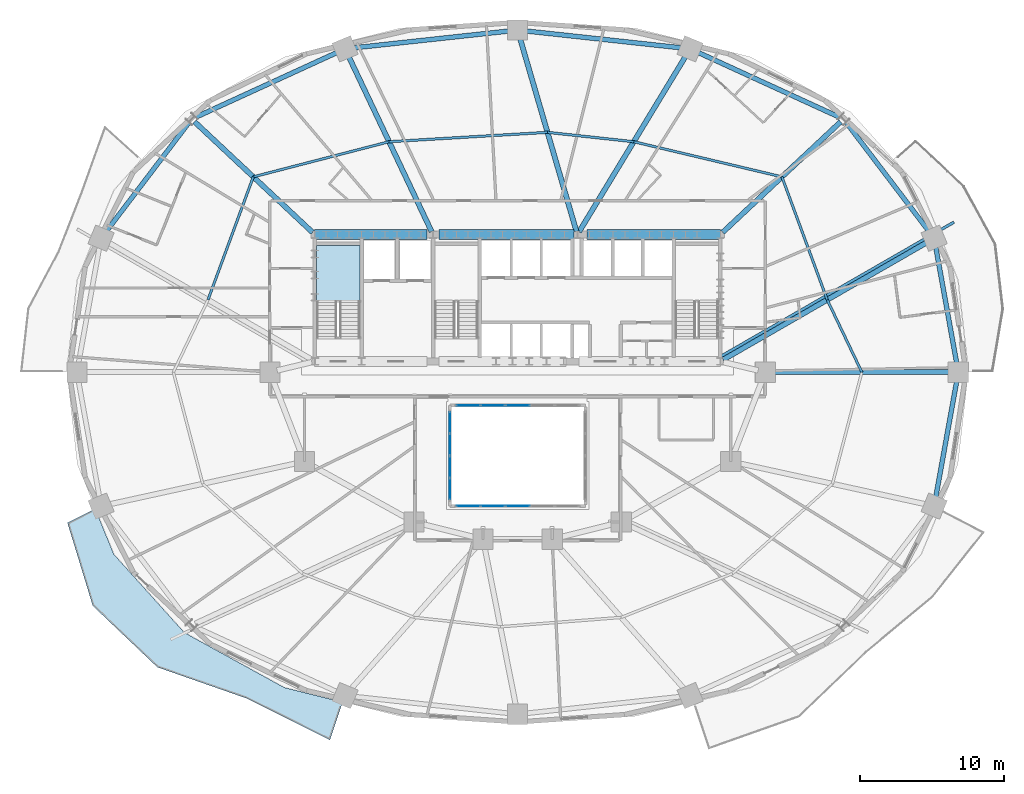
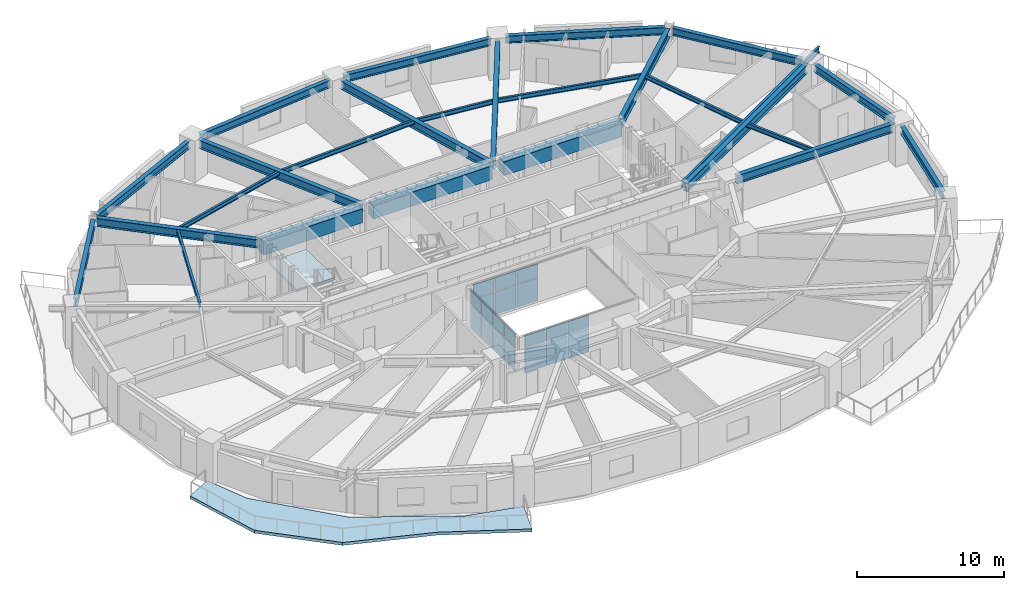
# One storey, part 7 of 17: 26 beams, 20 plates, 2 slabs, 4 elements without a shape of their own.
"""IFC4 building model written with IfcOpenShell, lengths in metres."""

from ifc_helpers import new_model, si_unit, direction, frame, origin, origin_2d, place, context, subcontext, project, spatial, polyline, rectangle, i_section, outline, extrude, material, layer, layer_set, material_profile, profile_set, type_object, element, aggregate, save


model = new_model("IFC4")

# Units and contexts
model_context = context("Model", 3, precision=1e-05, world=origin(), true_north=direction((0.0, 1.0)))
body_context = subcontext(model_context, "Body", "Model", "MODEL_VIEW")
ifc_project = project(units=[si_unit("LENGTHUNIT", "METRE"), si_unit("AREAUNIT", "SQUARE_METRE"), si_unit("VOLUMEUNIT", "CUBIC_METRE"), si_unit("PLANEANGLEUNIT", "RADIAN"), si_unit("MASSUNIT", "GRAM", prefix="KILO")], contexts=[model_context])

# Site, building, storey
site_placement = place(None, origin())
site = spatial("IfcSite", under=ifc_project, at=site_placement, CompositionType="ELEMENT")
building_placement = place(site_placement, origin())
building = spatial("IfcBuilding", under=site, at=building_placement, Name="Haldorwick Loom Tower", CompositionType="ELEMENT")
storey_placement = place(building_placement, frame((0.0, 0.0, 37.800048828125)))
storey = spatial("IfcBuildingStorey", under=building, at=storey_placement, Name="L09", CompositionType="ELEMENT", Elevation=37.800048828125)

# Beams
ifc_material_1 = material(Name="Steel CSA G40.21 350W", Category="steel")
ifc_material_profile_1 = material_profile(ifc_material_1, i_section(OverallWidth=0.193115234375, OverallDepth=0.466064453125, WebThickness=0.011474609375, FlangeThickness=0.01904296875, at=origin_2d()), Name="W460X97", Category="steel")
ifc_profile_set_1 = profile_set([ifc_material_profile_1], Name="Steel CSA G40.21 350W")
beam_type_1 = type_object("IfcBeamType", Name="STR-BM-BAL460", PredefinedType="BEAM", material=ifc_profile_set_1)
beam_1_placement = place(storey_placement, frame((50.125244140625, 27.10498046875, 2.97705078125), z_axis=(0.866607024941, 0.49899124674, 0.0), x_axis=(-0.49899124674, 0.866607024941, 0.0)))
element("IfcBeam", 1, at=beam_1_placement, inside=storey, type_object=beam_type_1, Name="L09 Continuous Back-Spanned Balcony Beam 4", PredefinedType="BEAM", context=body_context, shape_type="SweptSolid", body=[
    extrude(i_section(OverallWidth=0.193115234375, OverallDepth=0.466064453125, WebThickness=0.011474609375, FlangeThickness=0.01904296875, at=origin_2d()), origin(), (0.0, 0.0, 1.0), 18.65771484375),
])
ifc_material_2 = material(Name="Concrete C60 (60 MPa)", Category="concrete")
ifc_material_profile_2 = material_profile(ifc_material_2, rectangle(XDim=0.699951171875, YDim=1.14990234375, at=origin_2d()), Name="RC700X1150", Category="concrete")
ifc_profile_set_2 = profile_set([ifc_material_profile_2], Name="Concrete C60 (60 MPa)")
beam_type_2 = type_object("IfcBeamType", Name="STR-BM-CB1150", PredefinedType="LINTEL", material=ifc_profile_set_2)
beam_2_placement = place(storey_placement, frame((21.89990234375, 35.550048828125, 2.635009765625), z_axis=(1.0, 0.0, 0.0), x_axis=(0.0, 1.0, 0.0)))
element("IfcBeam", 2, at=beam_2_placement, inside=storey, type_object=beam_type_2, Name="L09 Core Coupling Beam CB-N1", PredefinedType="LINTEL", context=body_context, shape_type="SweptSolid", body=[
    extrude(rectangle(XDim=0.699951171875, YDim=1.14990234375, at=origin_2d()), origin(), (0.0, 0.0, 1.0), 7.800048828125),
])
beam_3_placement = place(storey_placement, frame((30.550048828125, 35.550048828125, 2.635009765625), z_axis=(1.0, 0.0, 0.0), x_axis=(0.0, 1.0, 0.0)))
element("IfcBeam", 3, at=beam_3_placement, inside=storey, type_object=beam_type_2, Name="L09 Core Coupling Beam CB-N2", PredefinedType="LINTEL", context=body_context, shape_type="SweptSolid", body=[
    extrude(rectangle(XDim=0.699951171875, YDim=1.14990234375, at=origin_2d()), origin(), (0.0, 0.0, 1.0), 9.349853515625),
])
beam_4_placement = place(storey_placement, frame((40.800048828125, 35.550048828125, 2.635009765625), z_axis=(1.0, 0.0, 0.0), x_axis=(0.0, 1.0, 0.0)))
element("IfcBeam", 4, at=beam_4_placement, inside=storey, type_object=beam_type_2, Name="L09 Core Coupling Beam CB-N3", PredefinedType="LINTEL", context=body_context, shape_type="SweptSolid", body=[
    extrude(rectangle(XDim=0.699951171875, YDim=1.14990234375, at=origin_2d()), origin(), (0.0, 0.0, 1.0), 9.300048828125),
])
ifc_material_profile_3 = material_profile(ifc_material_1, i_section(OverallWidth=0.172119140625, OverallDepth=0.35791015625, WebThickness=0.0078125, FlangeThickness=0.01318359375, at=origin_2d()), Name="W360X57", Category="steel")
ifc_profile_set_3 = profile_set([ifc_material_profile_3], Name="Steel CSA G40.21 350W")
beam_type_3 = type_object("IfcBeamType", Name="STR-BM-J360", PredefinedType="JOIST", material=ifc_profile_set_3)
beam_5_placement = place(storey_placement, frame((59.89794921875, 26.0, 3.031005859375), z_axis=(-0.431630738849, 0.902050389546, 0.0), x_axis=(-0.902050389546, -0.431630738849, 0.0)))
element("IfcBeam", 5, at=beam_5_placement, inside=storey, type_object=beam_type_3, Name="L09 Mid-Bay Secondary Joist 1", PredefinedType="JOIST", context=body_context, shape_type="SweptSolid", body=[
    extrude(i_section(OverallWidth=0.172119140625, OverallDepth=0.35791015625, WebThickness=0.0078125, FlangeThickness=0.01318359375, at=origin_2d()), origin(), (0.0, 0.0, 1.0), 5.5703125),
])
beam_6_placement = place(storey_placement, frame((57.49365234375, 31.024658203125, 3.031005859375), z_axis=(-0.345576005762, 0.938390763084, 0.0), x_axis=(-0.938390763084, -0.345576005762, 0.0)))
element("IfcBeam", 6, at=beam_6_placement, inside=storey, type_object=beam_type_3, Name="L09 Mid-Bay Secondary Joist 2", PredefinedType="JOIST", context=body_context, shape_type="SweptSolid", body=[
    extrude(i_section(OverallWidth=0.172119140625, OverallDepth=0.35791015625, WebThickness=0.0078125, FlangeThickness=0.01318359375, at=origin_2d()), origin(), (0.0, 0.0, 1.0), 9.0966796875),
])
beam_7_placement = place(storey_placement, frame((54.35009765625, 39.560791015625, 3.031005859375), z_axis=(-0.973016191143, 0.230736845289, 0.0), x_axis=(-0.230736845289, -0.973016191143, 0.0)))
element("IfcBeam", 7, at=beam_7_placement, inside=storey, type_object=beam_type_3, Name="L09 Mid-Bay Secondary Joist 3", PredefinedType="JOIST", context=body_context, shape_type="SweptSolid", body=[
    extrude(i_section(OverallWidth=0.172119140625, OverallDepth=0.35791015625, WebThickness=0.0078125, FlangeThickness=0.01318359375, at=origin_2d()), origin(), (0.0, 0.0, 1.0), 10.5712890625),
])
beam_8_placement = place(storey_placement, frame((44.06396484375, 42.0, 3.031005859375), z_axis=(-0.994163660215, 0.107882420753, 0.0), x_axis=(-0.107882420753, -0.994163660215, 0.0)))
element("IfcBeam", 8, at=beam_8_placement, inside=storey, type_object=beam_type_3, Name="L09 Mid-Bay Secondary Joist 4", PredefinedType="JOIST", context=body_context, shape_type="SweptSolid", body=[
    extrude(i_section(OverallWidth=0.172119140625, OverallDepth=0.35791015625, WebThickness=0.0078125, FlangeThickness=0.01318359375, at=origin_2d()), origin(), (0.0, 0.0, 1.0), 6.024169921875),
])
beam_9_placement = place(storey_placement, frame((38.074951171875, 42.64990234375, 3.031005859375), z_axis=(-0.998258904552, -0.058984400336, 0.0), x_axis=(0.058984400336, -0.998258904552, 0.0)))
element("IfcBeam", 9, at=beam_9_placement, inside=storey, type_object=beam_type_3, Name="L09 Mid-Bay Secondary Joist 5", PredefinedType="JOIST", context=body_context, shape_type="SweptSolid", body=[
    extrude(i_section(OverallWidth=0.172119140625, OverallDepth=0.35791015625, WebThickness=0.0078125, FlangeThickness=0.01318359375, at=origin_2d()), origin(), (0.0, 0.0, 1.0), 11.018310546875),
])
beam_10_placement = place(storey_placement, frame((27.075927734375, 42.0, 3.031005859375), z_axis=(-0.968110955806, -0.250521809927, 0.0), x_axis=(0.250521809927, -0.968110955806, 0.0)))
element("IfcBeam", 10, at=beam_10_placement, inside=storey, type_object=beam_type_3, Name="L09 Mid-Bay Secondary Joist 6", PredefinedType="JOIST", context=body_context, shape_type="SweptSolid", body=[
    extrude(i_section(OverallWidth=0.172119140625, OverallDepth=0.35791015625, WebThickness=0.0078125, FlangeThickness=0.01318359375, at=origin_2d()), origin(), (0.0, 0.0, 1.0), 9.736572265625),
])
beam_11_placement = place(storey_placement, frame((17.64990234375, 39.560791015625, 3.031005859375), z_axis=(-0.345576005762, -0.938390763084, 0.0), x_axis=(0.938390763084, -0.345576005762, 0.0)))
element("IfcBeam", 11, at=beam_11_placement, inside=storey, type_object=beam_type_3, Name="L09 Mid-Bay Secondary Joist 7", PredefinedType="JOIST", context=body_context, shape_type="SweptSolid", body=[
    extrude(i_section(OverallWidth=0.172119140625, OverallDepth=0.35791015625, WebThickness=0.0078125, FlangeThickness=0.01318359375, at=origin_2d()), origin(), (0.0, 0.0, 1.0), 9.0966796875),
])
ifc_material_profile_4 = material_profile(ifc_material_1, i_section(OverallWidth=0.324951171875, OverallDepth=0.615966796875, WebThickness=0.013916015625, FlangeThickness=0.021484375, at=origin_2d()), Name="W610X174", Category="steel")
ifc_profile_set_4 = profile_set([ifc_material_profile_4], Name="Steel CSA G40.21 350W")
beam_type_4 = type_object("IfcBeamType", Name="STR-BM-SP610", PredefinedType="SPANDREL", material=ifc_profile_set_4)
beam_12_placement = place(storey_placement, frame((66.503662109375, 26.51171875, 2.90185546875), z_axis=(-0.177641139482, 0.984095333575, 0.0), x_axis=(-0.984095333575, -0.177641139482, 0.0)))
element("IfcBeam", 12, at=beam_12_placement, inside=storey, type_object=beam_type_4, Name="L09 Perimeter Spandrel 1", PredefinedType="SPANDREL", context=body_context, shape_type="SweptSolid", body=[
    extrude(i_section(OverallWidth=0.324951171875, OverallDepth=0.615966796875, WebThickness=0.013916015625, FlangeThickness=0.021484375, at=origin_2d()), origin(), (0.0, 0.0, 1.0), 8.40966796875),
])
beam_13_placement = place(storey_placement, frame((64.602783203125, 35.713134765625, 2.90185546875), z_axis=(-0.605084557744, 0.796161213562, 0.0), x_axis=(-0.796161213562, -0.605084557744, 0.0)))
element("IfcBeam", 13, at=beam_13_placement, inside=storey, type_object=beam_type_4, Name="L09 Perimeter Spandrel 2", PredefinedType="SPANDREL", context=body_context, shape_type="SweptSolid", body=[
    extrude(i_section(OverallWidth=0.324951171875, OverallDepth=0.615966796875, WebThickness=0.013916015625, FlangeThickness=0.021484375, at=origin_2d()), origin(), (0.0, 0.0, 1.0), 9.595703125),
])
beam_14_placement = place(storey_placement, frame((58.380126953125, 43.68603515625, 2.90185546875), z_axis=(-0.909173805321, 0.416416848504, 0.0), x_axis=(-0.416416848504, -0.909173805321, 0.0)))
element("IfcBeam", 14, at=beam_14_placement, inside=storey, type_object=beam_type_4, Name="L09 Perimeter Spandrel 3", PredefinedType="SPANDREL", context=body_context, shape_type="SweptSolid", body=[
    extrude(i_section(OverallWidth=0.324951171875, OverallDepth=0.615966796875, WebThickness=0.013916015625, FlangeThickness=0.021484375, at=origin_2d()), origin(), (0.0, 0.0, 1.0), 10.92138671875),
])
for number, where, z_axis, x_axis, name in (
    (15, (47.4609375, 48.50634765625, 2.90185546875), (-0.994164438636, 0.107875247167, 0.0), (-0.107875247167, -0.994164438636, 0.0), "L09 Perimeter Spandrel 4"),
    (16, (35.48291015625, 49.69384765625, 2.90185546875), (-0.994164438636, -0.107875247167, 0.0), (0.107875247167, -0.994164438636, 0.0), "L09 Perimeter Spandrel 5"),
):
    element("IfcBeam", number, at=place(storey_placement, frame(where, z_axis=z_axis, x_axis=x_axis)), inside=storey, type_object=beam_type_4, Name=name, PredefinedType="SPANDREL", context=body_context, shape_type="SweptSolid", body=[
        extrude(i_section(OverallWidth=0.324951171875, OverallDepth=0.615966796875, WebThickness=0.013916015625, FlangeThickness=0.021484375, at=origin_2d()), origin(), (0.0, 0.0, 1.0), 11.008056640625),
    ])
beam_15_placement = place(storey_placement, frame((23.54931640625, 48.23388671875, 2.90185546875), z_axis=(-0.909173805321, -0.416416848504, 0.0), x_axis=(0.416416848504, -0.909173805321, 0.0)))
element("IfcBeam", 17, at=beam_15_placement, inside=storey, type_object=beam_type_4, Name="L09 Perimeter Spandrel 6", PredefinedType="SPANDREL", context=body_context, shape_type="SweptSolid", body=[
    extrude(i_section(OverallWidth=0.324951171875, OverallDepth=0.615966796875, WebThickness=0.013916015625, FlangeThickness=0.021484375, at=origin_2d()), origin(), (0.0, 0.0, 1.0), 10.92138671875),
])
beam_16_placement = place(storey_placement, frame((13.203369140625, 43.352783203125, 2.90185546875), z_axis=(-0.605084557744, -0.796161213562, 0.0), x_axis=(0.796161213562, -0.605084557744, 0.0)))
element("IfcBeam", 18, at=beam_16_placement, inside=storey, type_object=beam_type_4, Name="L09 Perimeter Spandrel 7", PredefinedType="SPANDREL", context=body_context, shape_type="SweptSolid", body=[
    extrude(i_section(OverallWidth=0.324951171875, OverallDepth=0.615966796875, WebThickness=0.013916015625, FlangeThickness=0.021484375, at=origin_2d()), origin(), (0.0, 0.0, 1.0), 9.595703125),
])
beam_17_placement = place(storey_placement, frame((65.009765625, 17.21240234375, 2.90185546875), z_axis=(0.177641139482, 0.984095333575, 0.0), x_axis=(-0.984095333575, 0.177641139482, 0.0)))
element("IfcBeam", 19, at=beam_17_placement, inside=storey, type_object=beam_type_4, Name="L09 Perimeter Spandrel 16", PredefinedType="SPANDREL", context=body_context, shape_type="SweptSolid", body=[
    extrude(i_section(OverallWidth=0.324951171875, OverallDepth=0.615966796875, WebThickness=0.013916015625, FlangeThickness=0.021484375, at=origin_2d()), origin(), (0.0, 0.0, 1.0), 8.40966796875),
])
ifc_material_profile_5 = material_profile(ifc_material_1, i_section(OverallWidth=0.35498046875, OverallDepth=0.695068359375, WebThickness=0.015380859375, FlangeThickness=0.02490234375, at=origin_2d()), Name="W690X217", Category="steel")
ifc_profile_set_5 = profile_set([ifc_material_profile_5], Name="Steel CSA G40.21 350W")
beam_type_5 = type_object("IfcBeamType", Name="STR-BM-W690", PredefinedType="BEAM", material=ifc_profile_set_5)
beam_18_placement = place(storey_placement, frame((53.719970703125, 26.0, 2.862548828125), z_axis=(1.0, 0.0, 0.0), x_axis=(0.0, 1.0, 0.0)))
element("IfcBeam", 20, at=beam_18_placement, inside=storey, type_object=beam_type_5, Name="L09 Radial Floor Girder 1", PredefinedType="BEAM", context=body_context, shape_type="SweptSolid", body=[
    extrude(i_section(OverallWidth=0.35498046875, OverallDepth=0.695068359375, WebThickness=0.015380859375, FlangeThickness=0.02490234375, at=origin_2d()), origin(), (0.0, 0.0, 1.0), 12.35595703125),
])
beam_19_placement = place(storey_placement, frame((50.264892578125, 26.8623046875, 2.862548828125), z_axis=(0.86660566838, 0.498993602696, 0.0), x_axis=(-0.498993602696, 0.86660566838, 0.0)))
element("IfcBeam", 21, at=beam_19_placement, inside=storey, type_object=beam_type_5, Name="L09 Radial Floor Girder 2", PredefinedType="BEAM", context=body_context, shape_type="SweptSolid", body=[
    extrude(i_section(OverallWidth=0.35498046875, OverallDepth=0.695068359375, WebThickness=0.015380859375, FlangeThickness=0.02490234375, at=origin_2d()), origin(), (0.0, 0.0, 1.0), 16.387939453125),
])
beam_20_placement = place(storey_placement, frame((50.234130859375, 35.703857421875, 2.862548828125), z_axis=(0.729689033278, 0.683779141766, 0.0), x_axis=(-0.683779141766, 0.729689033278, 0.0)))
element("IfcBeam", 22, at=beam_20_placement, inside=storey, type_object=beam_type_5, Name="L09 Radial Floor Girder 3", PredefinedType="BEAM", context=body_context, shape_type="SweptSolid", body=[
    extrude(i_section(OverallWidth=0.35498046875, OverallDepth=0.695068359375, WebThickness=0.015380859375, FlangeThickness=0.02490234375, at=origin_2d()), origin(), (0.0, 0.0, 1.0), 11.231201171875),
])
beam_21_placement = place(storey_placement, frame((40.2666015625, 35.742431640625, 2.862548828125), z_axis=(0.518781813409, 0.854906679162, 0.0), x_axis=(-0.854906679162, 0.518781813409, 0.0)))
element("IfcBeam", 23, at=beam_21_placement, inside=storey, type_object=beam_type_5, Name="L09 Radial Floor Girder 4", PredefinedType="BEAM", context=body_context, shape_type="SweptSolid", body=[
    extrude(i_section(OverallWidth=0.35498046875, OverallDepth=0.695068359375, WebThickness=0.015380859375, FlangeThickness=0.02490234375, at=origin_2d()), origin(), (0.0, 0.0, 1.0), 14.344482421875),
])
beam_22_placement = place(storey_placement, frame((40.0869140625, 35.76611328125, 2.862548828125), z_axis=(-0.28051378914, 0.959849995625, 0.0), x_axis=(-0.959849995625, -0.28051378914, 0.0)))
element("IfcBeam", 24, at=beam_22_placement, inside=storey, type_object=beam_type_5, Name="L09 Radial Floor Girder 5", PredefinedType="BEAM", context=body_context, shape_type="SweptSolid", body=[
    extrude(i_section(OverallWidth=0.35498046875, OverallDepth=0.695068359375, WebThickness=0.015380859375, FlangeThickness=0.02490234375, at=origin_2d()), origin(), (0.0, 0.0, 1.0), 14.048828125),
])
beam_23_placement = place(storey_placement, frame((30.03369140625, 35.75341796875, 2.862548828125), z_axis=(-0.427945149389, 0.903804707398, 0.0), x_axis=(-0.903804707398, -0.427945149389, 0.0)))
element("IfcBeam", 25, at=beam_23_placement, inside=storey, type_object=beam_type_5, Name="L09 Radial Floor Girder 6", PredefinedType="BEAM", context=body_context, shape_type="SweptSolid", body=[
    extrude(i_section(OverallWidth=0.35498046875, OverallDepth=0.695068359375, WebThickness=0.015380859375, FlangeThickness=0.02490234375, at=origin_2d()), origin(), (0.0, 0.0, 1.0), 13.528076171875),
])
beam_24_placement = place(storey_placement, frame((21.765869140625, 35.703857421875, 2.862548828125), z_axis=(-0.729689033278, 0.683779141766, 0.0), x_axis=(-0.683779141766, -0.729689033278, 0.0)))
element("IfcBeam", 26, at=beam_24_placement, inside=storey, type_object=beam_type_5, Name="L09 Radial Floor Girder 7", PredefinedType="BEAM", context=body_context, shape_type="SweptSolid", body=[
    extrude(i_section(OverallWidth=0.35498046875, OverallDepth=0.695068359375, WebThickness=0.015380859375, FlangeThickness=0.02490234375, at=origin_2d()), origin(), (0.0, 0.0, 1.0), 11.231201171875),
])

# Curtain wall, plates
ifc_material_3 = material(Name="Thermally Broken Anodized Aluminium Curtain Wall Framing", Category="aluminium")
curtain_wall_type = type_object("IfcCurtainWallType", Name="ARC-CW-03", PredefinedType="NOTDEFINED", material=ifc_material_3)
curtain_wall_1_placement = place(storey_placement, origin())
curtain_wall_1 = element("IfcCurtainWall", 27, at=curtain_wall_1_placement, inside=storey, type_object=curtain_wall_type, Name="L09 Atrium Glazed Screen S", PredefinedType="NOTDEFINED")
ifc_material_4 = material(Name="Triple-Glazed Low-E Argon Insulated Glazing Unit", Category="glass")
ifc_layer_1 = layer(ifc_material_4, 0.04296875, Name="Triple-Glazed Low-E Argon Insulated Glazing Unit", Category="glass")
ifc_layer_set_1 = layer_set([ifc_layer_1], Name="Triple-Glazed Low-E Argon Insulated Glazing Unit")
plate_type = type_object("IfcPlateType", Name="ARC-CWP-03", PredefinedType="CURTAIN_PANEL", material=ifc_layer_set_1)
plate_1_placement = place(storey_placement, frame((36.0, 16.699951171875, 0.06591796875), z_axis=(0.0, 0.0, 1.0), x_axis=(-1.0, 0.0, 0.0)))
plate_1 = element("IfcPlate", 28, at=plate_1_placement, type_object=plate_type, Name="CW-03 panel 3.1", PredefinedType="CURTAIN_PANEL", context=body_context, shape_type="SweptSolid", body=[
    extrude(rectangle(XDim=1.654052734375, YDim=0.04296875, at=origin_2d()), origin(), (0.0, 0.0, 1.0), 1.90087890625),
])
plate_2_placement = place(storey_placement, frame((36.0, 16.699951171875, 2.03271484375), z_axis=(0.0, 0.0, 1.0), x_axis=(-1.0, 0.0, 0.0)))
plate_2 = element("IfcPlate", 29, at=plate_2_placement, type_object=plate_type, Name="CW-03 panel 3.2", PredefinedType="CURTAIN_PANEL", context=body_context, shape_type="SweptSolid", body=[
    extrude(rectangle(XDim=1.654052734375, YDim=0.04296875, at=origin_2d()), origin(), (0.0, 0.0, 1.0), 1.111083984375),
])
plate_3_placement = place(storey_placement, frame((34.280029296875, 16.699951171875, 0.06591796875), z_axis=(0.0, 0.0, 1.0), x_axis=(-1.0, 0.0, 0.0)))
plate_3 = element("IfcPlate", 30, at=plate_3_placement, type_object=plate_type, Name="CW-03 panel 4.1", PredefinedType="CURTAIN_PANEL", context=body_context, shape_type="SweptSolid", body=[
    extrude(rectangle(XDim=1.654052734375, YDim=0.04296875, at=origin_2d()), origin(), (0.0, 0.0, 1.0), 1.90087890625),
])
plate_4_placement = place(storey_placement, frame((34.280029296875, 16.699951171875, 2.03271484375), z_axis=(0.0, 0.0, 1.0), x_axis=(-1.0, 0.0, 0.0)))
plate_4 = element("IfcPlate", 31, at=plate_4_placement, type_object=plate_type, Name="CW-03 panel 4.2", PredefinedType="CURTAIN_PANEL", context=body_context, shape_type="SweptSolid", body=[
    extrude(rectangle(XDim=1.654052734375, YDim=0.04296875, at=origin_2d()), origin(), (0.0, 0.0, 1.0), 1.111083984375),
])
plate_5_placement = place(storey_placement, frame((32.576416015625, 16.699951171875, 0.06591796875), z_axis=(0.0, 0.0, 1.0), x_axis=(-1.0, 0.0, 0.0)))
plate_5 = element("IfcPlate", 32, at=plate_5_placement, type_object=plate_type, Name="CW-03 panel 5.1", PredefinedType="CURTAIN_PANEL", context=body_context, shape_type="SweptSolid", body=[
    extrude(rectangle(XDim=1.62109375, YDim=0.04296875, at=origin_2d()), origin(), (0.0, 0.0, 1.0), 1.90087890625),
])
plate_6_placement = place(storey_placement, frame((32.576416015625, 16.699951171875, 2.03271484375), z_axis=(0.0, 0.0, 1.0), x_axis=(-1.0, 0.0, 0.0)))
plate_6 = element("IfcPlate", 33, at=plate_6_placement, type_object=plate_type, Name="CW-03 panel 5.2", PredefinedType="CURTAIN_PANEL", context=body_context, shape_type="SweptSolid", body=[
    extrude(rectangle(XDim=1.62109375, YDim=0.04296875, at=origin_2d()), origin(), (0.0, 0.0, 1.0), 1.111083984375),
])
aggregate(curtain_wall_1, [plate_1, plate_2, plate_3, plate_4, plate_5, plate_6])

curtain_wall_2_placement = place(storey_placement, origin())
curtain_wall_2 = element("IfcCurtainWall", 34, at=curtain_wall_2_placement, inside=storey, type_object=curtain_wall_type, Name="L09 Atrium Glazed Screen N", PredefinedType="NOTDEFINED")
plate_7_placement = place(storey_placement, frame((32.576416015625, 23.699951171875, 0.06591796875), z_axis=(0.0, 0.0, 1.0), x_axis=(1.0, 0.0, 0.0)))
plate_7 = element("IfcPlate", 35, at=plate_7_placement, type_object=plate_type, Name="CW-03 panel 1.1", PredefinedType="CURTAIN_PANEL", context=body_context, shape_type="SweptSolid", body=[
    extrude(rectangle(XDim=1.62109375, YDim=0.04296875, at=origin_2d()), origin(), (0.0, 0.0, 1.0), 1.90087890625),
])
plate_8_placement = place(storey_placement, frame((32.576416015625, 23.699951171875, 2.03271484375), z_axis=(0.0, 0.0, 1.0), x_axis=(1.0, 0.0, 0.0)))
plate_8 = element("IfcPlate", 36, at=plate_8_placement, type_object=plate_type, Name="CW-03 panel 1.2", PredefinedType="CURTAIN_PANEL", context=body_context, shape_type="SweptSolid", body=[
    extrude(rectangle(XDim=1.62109375, YDim=0.04296875, at=origin_2d()), origin(), (0.0, 0.0, 1.0), 1.111083984375),
])
plate_9_placement = place(storey_placement, frame((34.280029296875, 23.699951171875, 0.06591796875), z_axis=(0.0, 0.0, 1.0), x_axis=(1.0, 0.0, 0.0)))
plate_9 = element("IfcPlate", 37, at=plate_9_placement, type_object=plate_type, Name="CW-03 panel 2.1", PredefinedType="CURTAIN_PANEL", context=body_context, shape_type="SweptSolid", body=[
    extrude(rectangle(XDim=1.654052734375, YDim=0.04296875, at=origin_2d()), origin(), (0.0, 0.0, 1.0), 1.90087890625),
])
plate_10_placement = place(storey_placement, frame((34.280029296875, 23.699951171875, 2.03271484375), z_axis=(0.0, 0.0, 1.0), x_axis=(1.0, 0.0, 0.0)))
plate_10 = element("IfcPlate", 38, at=plate_10_placement, type_object=plate_type, Name="CW-03 panel 2.2", PredefinedType="CURTAIN_PANEL", context=body_context, shape_type="SweptSolid", body=[
    extrude(rectangle(XDim=1.654052734375, YDim=0.04296875, at=origin_2d()), origin(), (0.0, 0.0, 1.0), 1.111083984375),
])
plate_11_placement = place(storey_placement, frame((36.0, 23.699951171875, 0.06591796875), z_axis=(0.0, 0.0, 1.0), x_axis=(1.0, 0.0, 0.0)))
plate_11 = element("IfcPlate", 39, at=plate_11_placement, type_object=plate_type, Name="CW-03 panel 3.1", PredefinedType="CURTAIN_PANEL", context=body_context, shape_type="SweptSolid", body=[
    extrude(rectangle(XDim=1.654052734375, YDim=0.04296875, at=origin_2d()), origin(), (0.0, 0.0, 1.0), 1.90087890625),
])
plate_12_placement = place(storey_placement, frame((36.0, 23.699951171875, 2.03271484375), z_axis=(0.0, 0.0, 1.0), x_axis=(1.0, 0.0, 0.0)))
plate_12 = element("IfcPlate", 40, at=plate_12_placement, type_object=plate_type, Name="CW-03 panel 3.2", PredefinedType="CURTAIN_PANEL", context=body_context, shape_type="SweptSolid", body=[
    extrude(rectangle(XDim=1.654052734375, YDim=0.04296875, at=origin_2d()), origin(), (0.0, 0.0, 1.0), 1.111083984375),
])
aggregate(curtain_wall_2, [plate_7, plate_8, plate_9, plate_10, plate_11, plate_12])

curtain_wall_3_placement = place(storey_placement, origin())
curtain_wall_3 = element("IfcCurtainWall", 41, at=curtain_wall_3_placement, inside=storey, type_object=curtain_wall_type, Name="L09 Atrium Glazed Screen W", PredefinedType="NOTDEFINED")
plate_13_placement = place(storey_placement, frame((31.300048828125, 17.8916015625, 0.06591796875), z_axis=(0.0, 0.0, 1.0), x_axis=(0.0, 1.0, 0.0)))
plate_13 = element("IfcPlate", 42, at=plate_13_placement, type_object=plate_type, Name="CW-03 panel 1.1", PredefinedType="CURTAIN_PANEL", context=body_context, shape_type="SweptSolid", body=[
    extrude(rectangle(XDim=1.450927734375, YDim=0.04296875, at=origin_2d()), origin(), (0.0, 0.0, 1.0), 1.90087890625),
])
plate_14_placement = place(storey_placement, frame((31.300048828125, 17.8916015625, 2.03271484375), z_axis=(0.0, 0.0, 1.0), x_axis=(0.0, 1.0, 0.0)))
plate_14 = element("IfcPlate", 43, at=plate_14_placement, type_object=plate_type, Name="CW-03 panel 1.2", PredefinedType="CURTAIN_PANEL", context=body_context, shape_type="SweptSolid", body=[
    extrude(rectangle(XDim=1.450927734375, YDim=0.04296875, at=origin_2d()), origin(), (0.0, 0.0, 1.0), 1.111083984375),
])
plate_15_placement = place(storey_placement, frame((31.300048828125, 19.425048828125, 0.06591796875), z_axis=(0.0, 0.0, 1.0), x_axis=(0.0, 1.0, 0.0)))
plate_15 = element("IfcPlate", 44, at=plate_15_placement, type_object=plate_type, Name="CW-03 panel 2.1", PredefinedType="CURTAIN_PANEL", context=body_context, shape_type="SweptSolid", body=[
    extrude(rectangle(XDim=1.48388671875, YDim=0.04296875, at=origin_2d()), origin(), (0.0, 0.0, 1.0), 1.90087890625),
])
plate_16_placement = place(storey_placement, frame((31.300048828125, 19.425048828125, 2.03271484375), z_axis=(0.0, 0.0, 1.0), x_axis=(0.0, 1.0, 0.0)))
plate_16 = element("IfcPlate", 45, at=plate_16_placement, type_object=plate_type, Name="CW-03 panel 2.2", PredefinedType="CURTAIN_PANEL", context=body_context, shape_type="SweptSolid", body=[
    extrude(rectangle(XDim=1.48388671875, YDim=0.04296875, at=origin_2d()), origin(), (0.0, 0.0, 1.0), 1.111083984375),
])
plate_17_placement = place(storey_placement, frame((31.300048828125, 20.97509765625, 0.06591796875), z_axis=(0.0, 0.0, 1.0), x_axis=(0.0, 1.0, 0.0)))
plate_17 = element("IfcPlate", 46, at=plate_17_placement, type_object=plate_type, Name="CW-03 panel 3.1", PredefinedType="CURTAIN_PANEL", context=body_context, shape_type="SweptSolid", body=[
    extrude(rectangle(XDim=1.48388671875, YDim=0.04296875, at=origin_2d()), origin(), (0.0, 0.0, 1.0), 1.90087890625),
])
plate_18_placement = place(storey_placement, frame((31.300048828125, 20.97509765625, 2.03271484375), z_axis=(0.0, 0.0, 1.0), x_axis=(0.0, 1.0, 0.0)))
plate_18 = element("IfcPlate", 47, at=plate_18_placement, type_object=plate_type, Name="CW-03 panel 3.2", PredefinedType="CURTAIN_PANEL", context=body_context, shape_type="SweptSolid", body=[
    extrude(rectangle(XDim=1.48388671875, YDim=0.04296875, at=origin_2d()), origin(), (0.0, 0.0, 1.0), 1.111083984375),
])
plate_19_placement = place(storey_placement, frame((31.300048828125, 22.508544921875, 0.06591796875), z_axis=(0.0, 0.0, 1.0), x_axis=(0.0, 1.0, 0.0)))
plate_19 = element("IfcPlate", 48, at=plate_19_placement, type_object=plate_type, Name="CW-03 panel 4.1", PredefinedType="CURTAIN_PANEL", context=body_context, shape_type="SweptSolid", body=[
    extrude(rectangle(XDim=1.450927734375, YDim=0.04296875, at=origin_2d()), origin(), (0.0, 0.0, 1.0), 1.90087890625),
])
plate_20_placement = place(storey_placement, frame((31.300048828125, 22.508544921875, 2.03271484375), z_axis=(0.0, 0.0, 1.0), x_axis=(0.0, 1.0, 0.0)))
plate_20 = element("IfcPlate", 49, at=plate_20_placement, type_object=plate_type, Name="CW-03 panel 4.2", PredefinedType="CURTAIN_PANEL", context=body_context, shape_type="SweptSolid", body=[
    extrude(rectangle(XDim=1.450927734375, YDim=0.04296875, at=origin_2d()), origin(), (0.0, 0.0, 1.0), 1.111083984375),
])
aggregate(curtain_wall_3, [plate_13, plate_14, plate_15, plate_16, plate_17, plate_18, plate_19, plate_20])

# Slab
ifc_material_5 = material(Name="Concrete C40 (40 MPa)", Category="concrete")
ifc_layer_2 = layer(ifc_material_5, 0.239990234375, Name="Concrete C40 (40 MPa)", Category="concrete")
ifc_layer_set_2 = layer_set([ifc_layer_2], Name="Concrete C40 (40 MPa)")
slab_type_1 = type_object("IfcSlabType", Name="STR-SLB-BAL240", PredefinedType="FLOOR", material=ifc_layer_set_2)
slab_1_placement = place(storey_placement, frame((0.0, 0.0, -0.239990234375)))
element("IfcSlab", 50, at=slab_1_placement, inside=storey, type_object=slab_type_1, Name="L09 Sinusoidal Balcony Terrace BAL_SW", PredefinedType="FLOOR", context=body_context, shape_type="SweptSolid", body=[
    extrude(outline(polyline([(23.84765625, 3.091064453125), (19.8203125, 4.0966796875), (19.819091796875, 4.096923828125), (19.81787109375, 4.097412109375), (19.81689453125, 4.09814453125), (12.86767578125, 7.92041015625), (12.8662109375, 7.921142578125), (12.86474609375, 7.922119140625), (12.86376953125, 7.92333984375), (7.97119140625, 13.3525390625), (7.97021484375, 13.353515625), (7.969482421875, 13.3544921875), (7.968994140625, 13.355712890625), (7.968505859375, 13.356689453125), (6.67529296875, 16.51806640625), (4.75048828125, 15.539306640625), (6.50927734375, 9.7822265625), (10.989990234375, 5.52099609375), (17.151123046875, 3.368896484375), (22.96728515625, 0.4716796875), (23.84765625, 3.091064453125)])), origin(), (0.0, 0.0, 1.0), 0.239990234375),
])

# Stair, slab
stair_type = type_object("IfcStairType", Name="STR-STR-CORE", PredefinedType="HALF_TURN_STAIR", material=ifc_material_5)
stair_placement = place(storey_placement, origin())
stair = element("IfcStair", 51, at=stair_placement, inside=storey, type_object=stair_type, Name="L09 Exit Stair ST-01", PredefinedType="HALF_TURN_STAIR")
ifc_layer_3 = layer(ifc_material_5, 0.199951171875, Name="Concrete C40 (40 MPa)", Category="concrete")
ifc_layer_set_3 = layer_set([ifc_layer_3], Name="Concrete C40 (40 MPa)")
slab_type_2 = type_object("IfcSlabType", Name="STR-SLB-LAND200", PredefinedType="LANDING", material=ifc_layer_set_3)
slab_2_placement = place(storey_placement, frame((0.0, 0.0, 1.52490234375)))
slab_2 = element("IfcSlab", 52, at=slab_2_placement, type_object=slab_type_2, Name="ST-01 landing 1", PredefinedType="LANDING", context=body_context, shape_type="SweptSolid", body=[
    extrude(outline(polyline([(25.050048828125, 30.919921875), (25.050048828125, 34.800048828125), (22.050048828125, 34.800048828125), (22.050048828125, 30.919921875), (25.050048828125, 30.919921875)])), origin(), (0.0, 0.0, 1.0), 0.199951171875),
])
aggregate(stair, [slab_2])

save(model, "model.ifc")
